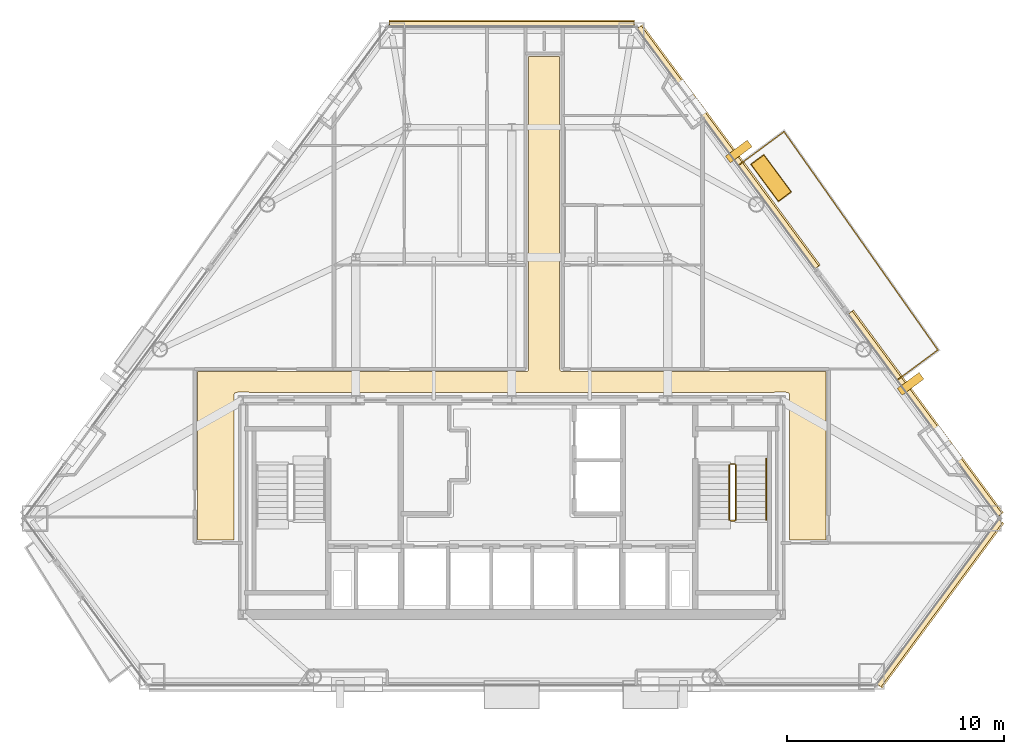
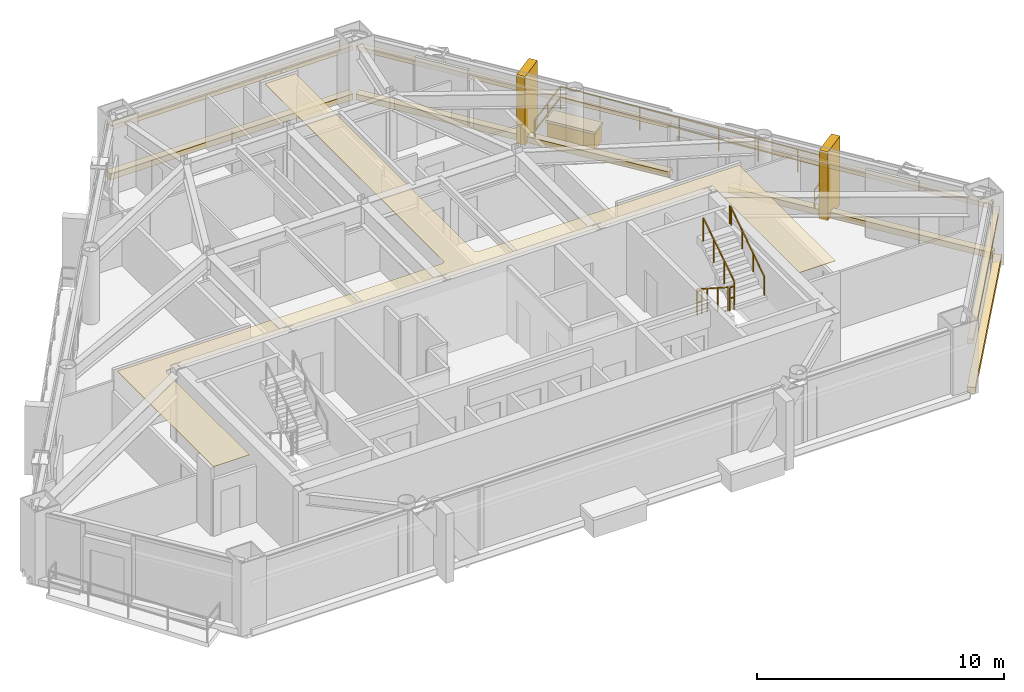
# One storey, part 11 of 11: 13 coverings, 6 railings.
"""IFC4 building model written with IfcOpenShell, lengths in metres."""

import ifcopenshell
import ifcopenshell.guid

model = None  # the IFC model being written
_history = None  # IfcOwnerHistory: only IFC2X3 demands one
_inside = {}  # id of a spatial element -> (the spatial element, [elements in it])
_under = {}  # id of a project, library or spatial element -> (it, [spatial elements below it])
_declared = {}  # id of a project -> (the project, [libraries it declares])
_typed = {}  # id of a type object -> (the type object, [elements of that type])
_made_of = {}  # id of a material, layer set ... -> (it, [elements and type objects made of it])


def new_model(schema):
    """Start an empty IFC model of exactly this schema.

    Asked for "IFC4X3", IfcOpenShell would pick the latest addendum, in which some entities
    have other attributes; the version numbers below select the first issue.
    IFC2X3 requires an IfcOwnerHistory on every rooted entity: one is made here for all.
    """
    global model, _history
    if schema == "IFC4X3":
        model = ifcopenshell.file(schema_version=(4, 3, 0, 0))
    else:
        model = ifcopenshell.file(schema=schema)
    _inside.clear()
    _under.clear()
    _declared.clear()
    _typed.clear()
    _made_of.clear()
    _history = None
    if model.schema == "IFC2X3":
        org = make("IfcOrganization", Name="unknown")
        user = make(
            "IfcPersonAndOrganization",
            ThePerson=make("IfcPerson", FamilyName="unknown"),
            TheOrganization=org,
        )
        app = make(
            "IfcApplication",
            ApplicationDeveloper=org,
            Version="unknown",
            ApplicationFullName="unknown",
            ApplicationIdentifier="unknown",
        )
        _history = make(
            "IfcOwnerHistory",
            OwningUser=user,
            OwningApplication=app,
            ChangeAction="ADDED",
            CreationDate=0,
        )
    return model


def make(cls, **values):
    """One entity of the class cls with the attributes given. An attribute that is None is left unset."""
    return model.create_entity(
        cls, **{name: value for name, value in values.items() if value is not None}
    )


def rooted(cls, **values):
    """An entity with a GlobalId (a new one), such as an element, a storey or a relation."""
    return make(cls, GlobalId=ifcopenshell.guid.new(), OwnerHistory=_history, **values)


def si_unit(unit_type, name, prefix=None):
    """IfcSIUnit, for example si_unit("LENGTHUNIT", "METRE", prefix="MILLI")."""
    return make("IfcSIUnit", UnitType=unit_type, Prefix=prefix, Name=name)


def assignment(units):
    """IfcUnitAssignment: the units of a project."""
    return None if units is None else make("IfcUnitAssignment", Units=units)


def point(xyz):
    """IfcCartesianPoint."""
    return None if xyz is None else make("IfcCartesianPoint", Coordinates=xyz)


def direction(xyz):
    """IfcDirection."""
    return None if xyz is None else make("IfcDirection", DirectionRatios=xyz)


def frame(location, z_axis=None, x_axis=None):
    """IfcAxis2Placement3D, a coordinate frame: its origin and axes. An axis left out is left unset."""
    return make(
        "IfcAxis2Placement3D",
        Location=point(location),
        Axis=direction(z_axis),
        RefDirection=direction(x_axis),
    )


def frame_2d(location, x_axis=None):
    """IfcAxis2Placement2D, a coordinate frame in the plane: its origin and x axis."""
    return make(
        "IfcAxis2Placement2D", Location=point(location), RefDirection=direction(x_axis)
    )


def origin():
    """The frame at (0, 0, 0) with its axes left unset."""
    return frame((0.0, 0.0, 0.0))


def origin_2d():
    """The frame at (0, 0) in the plane with its x axis left unset."""
    return frame_2d((0.0, 0.0))


def place(relative_to, where):
    """IfcLocalPlacement: puts the frame where relative to a parent placement (None: the world)."""
    return make(
        "IfcLocalPlacement", PlacementRelTo=relative_to, RelativePlacement=where
    )


def context(
    kind, dimensions, precision=None, world=None, true_north=None, identifier=None
):
    """IfcGeometricRepresentationContext, for example the 3D "Model" context."""
    return make(
        "IfcGeometricRepresentationContext",
        ContextIdentifier=identifier,
        ContextType=kind,
        CoordinateSpaceDimension=dimensions,
        Precision=precision,
        WorldCoordinateSystem=world,
        TrueNorth=true_north,
    )


def subcontext(parent, identifier, kind, view, scale=None):
    """IfcGeometricRepresentationSubContext, for example "Body" below "Model"."""
    return make(
        "IfcGeometricRepresentationSubContext",
        ContextIdentifier=identifier,
        ContextType=kind,
        ParentContext=parent,
        TargetScale=scale,
        TargetView=view,
    )


def project(units=None, contexts=None):
    """IfcProject with its units and contexts."""
    return rooted(
        "IfcProject",
        Name="project",
        RepresentationContexts=contexts,
        UnitsInContext=assignment(units),
    )


def spatial(cls, under=None, at=None, **own):
    """A site, building, storey or space (cls), placed at a placement, below another one or the project."""
    s = rooted(cls, ObjectPlacement=at, **own)
    if under is not None:
        _under.setdefault(under.id(), (under, []))[1].append(s)
    return s


def polyline(points):
    """IfcPolyline through the points."""
    return make("IfcPolyline", Points=[point(p) for p in points])


def profile(cls, at=None, kind="AREA", **sizes):
    """A parametric profile (cls). Its sizes go by their IFC names, for example OverallWidth=200.0."""
    return make(cls, ProfileType=kind, Position=at, **sizes)


def rectangle(**sizes):
    """IfcRectangleProfileDef."""
    return profile("IfcRectangleProfileDef", **sizes)


def outline(outer, holes=None, kind="AREA"):
    """IfcArbitraryClosedProfileDef: a profile drawn as a closed curve; with holes, ...WithVoids."""
    if holes is None:
        return make("IfcArbitraryClosedProfileDef", ProfileType=kind, OuterCurve=outer)
    return make(
        "IfcArbitraryProfileDefWithVoids",
        ProfileType=kind,
        OuterCurve=outer,
        InnerCurves=holes,
    )


def extrude(swept, where, along, depth):
    """IfcExtrudedAreaSolid: the profile swept, set in the frame where, extruded along a direction by depth."""
    return make(
        "IfcExtrudedAreaSolid",
        SweptArea=swept,
        Position=where,
        ExtrudedDirection=direction(along),
        Depth=depth,
    )


def shape(context_of_items, identifier, shape_type, items):
    """IfcShapeRepresentation: the items that make up one representation, for example the "Body"."""
    return make(
        "IfcShapeRepresentation",
        ContextOfItems=context_of_items,
        RepresentationIdentifier=identifier,
        RepresentationType=shape_type,
        Items=items,
    )


def material(Name=None, Category=None):
    """IfcMaterial."""
    return make("IfcMaterial", Name=Name, Category=Category)


def layer(
    of_material, thickness, ventilated=None, Name=None, Category=None, Priority=None
):
    """IfcMaterialLayer: one layer of a wall or slab, of a material (None: an air gap)."""
    return make(
        "IfcMaterialLayer",
        Material=of_material,
        LayerThickness=thickness,
        IsVentilated=ventilated,
        Name=Name,
        Category=Category,
        Priority=Priority,
    )


def layer_set(layers, Name=None):
    """IfcMaterialLayerSet."""
    return make("IfcMaterialLayerSet", MaterialLayers=layers, LayerSetName=Name)


def made_of(thing, what):
    """Note that an element or type object is made of a material, layer set ...; save() writes the relation."""
    if what is not None:
        _made_of.setdefault(what.id(), (what, []))[1].append(thing)
    return thing


def type_object(cls, material=None, **own):
    """A type object (cls), such as IfcWallType, which elements share."""
    return made_of(rooted(cls, **own), material)


def element(
    cls,
    number,
    at=None,
    inside=None,
    cuts=None,
    type_object=None,
    material=None,
    context=None,
    identifier="Body",
    shape_type=None,
    held_by="IfcProductDefinitionShape",
    body=None,
    shapes=None,
    **own,
):
    """One element of the class cls, such as IfcWall. Its Tag is "e" and its number.

    at: its placement. inside: the storey or other place that contains it. cuts: it is an
    opening in that element (IfcRelVoidsElement). A single representation is given by context,
    identifier, shape_type and body (its items); several are given by shapes. held_by: the class
    of the entity that holds the representations. save() writes the other relations.
    """
    e = rooted(cls, Tag="e%d" % number, ObjectPlacement=at, **own)
    if body is not None:
        shapes = [shape(context, identifier, shape_type, body)]
    if shapes is not None:
        e.Representation = make(held_by, Representations=shapes)
    if inside is not None:
        _inside.setdefault(inside.id(), (inside, []))[1].append(e)
    if cuts is not None:
        rooted(
            "IfcRelVoidsElement", RelatingBuildingElement=cuts, RelatedOpeningElement=e
        )
    if type_object is not None:
        _typed.setdefault(type_object.id(), (type_object, []))[1].append(e)
    return made_of(e, material)


def aggregate(whole, parts):
    """IfcRelAggregates: a whole, such as a stair, and the parts it consists of."""
    return rooted("IfcRelAggregates", RelatingObject=whole, RelatedObjects=parts)


def save(model, path):
    """Write the relations noted so far, then the file.

    IfcRelAggregates (storeys below a building ...), IfcRelContainedInSpatialStructure (elements
    in a storey), IfcRelDefinesByType, IfcRelAssociatesMaterial and IfcRelDeclares: one each for
    every whole, place, type object, material and project.
    """
    for whole, parts in _under.values():
        aggregate(whole, parts)
    for where, things in _inside.values():
        rooted(
            "IfcRelContainedInSpatialStructure",
            RelatedElements=things,
            RelatingStructure=where,
        )
    for kind, things in _typed.values():
        rooted("IfcRelDefinesByType", RelatedObjects=things, RelatingType=kind)
    for what, things in _made_of.values():
        rooted("IfcRelAssociatesMaterial", RelatedObjects=things, RelatingMaterial=what)
    for by, libraries in _declared.values():
        rooted("IfcRelDeclares", RelatingContext=by, RelatedDefinitions=libraries)
    model.write(path)


model = new_model("IFC4")

# Units and contexts
model_context = context("Model", 3, precision=1e-05, world=origin(), true_north=direction((0.0, 1.0)))
body_context = subcontext(model_context, "Body", "Model", "MODEL_VIEW")
ifc_project = project(units=[si_unit("LENGTHUNIT", "METRE"), si_unit("AREAUNIT", "SQUARE_METRE"), si_unit("VOLUMEUNIT", "CUBIC_METRE"), si_unit("PLANEANGLEUNIT", "RADIAN"), si_unit("MASSUNIT", "GRAM", prefix="KILO")], contexts=[model_context])

# Site, building, storey
site_placement = place(None, origin())
site = spatial("IfcSite", under=ifc_project, at=site_placement, CompositionType="ELEMENT")
building_placement = place(site_placement, origin())
building = spatial("IfcBuilding", under=site, at=building_placement, Name="Talgorran Terracotta Tower", CompositionType="ELEMENT")
storey_placement = place(building_placement, frame((0.0, 0.0, 122.10009765625)))
storey = spatial("IfcBuildingStorey", under=building, at=storey_placement, Name="L31", CompositionType="ELEMENT", Elevation=122.10009765625)

# Coverings
ifc_material_1 = material(Name="Kiln-Fired Terracotta Ochre Ceramic", Category="masonry")
ifc_layer_1 = layer(ifc_material_1, 0.179931640625, Name="COV_BAGUETTE_TERRACOTTA_SCREEN")
ifc_layer_set_1 = layer_set([ifc_layer_1], Name="Kiln-Fired Terracotta Ochre Ceramic")
covering_type_1 = type_object("IfcCoveringType", Name="COV_BAGUETTE_TERRACOTTA_SCREEN", PredefinedType="CLADDING", material=ifc_layer_set_1)
covering_1_placement = place(storey_placement, frame((19.748291015625, -13.572021484375, 2.41015625), z_axis=(0.0, 0.0, 1.0), x_axis=(0.594640382106, 0.803991800934, 0.0)))
element("IfcCovering", 1, at=covering_1_placement, inside=storey, type_object=covering_type_1, Name="L31 Terracotta Baguette Solar Screen Assembly F2", PredefinedType="CLADDING", context=body_context, shape_type="SweptSolid", body=[
    extrude(rectangle(XDim=9.43896484375, YDim=0.260009765625, at=origin_2d()), origin(), (0.0, 0.0, 1.0), 0.219970703125),
])
covering_2_placement = place(storey_placement, frame((19.075927734375, -4.842529296875, 2.41015625), z_axis=(0.0, 0.0, 1.0), x_axis=(-0.594640382106, 0.803991800934, 0.0)))
element("IfcCovering", 2, at=covering_2_placement, inside=storey, type_object=covering_type_1, Name="L31 Terracotta Baguette Solar Screen Assembly F40", PredefinedType="CLADDING", context=body_context, shape_type="SweptSolid", body=[
    extrude(rectangle(XDim=11.62060546875, YDim=0.260009765625, at=origin_2d()), origin(), (0.0, 0.0, 1.0), 0.219970703125),
])
covering_3_placement = place(storey_placement, frame((9.972412109375, 7.466064453125, 2.41015625), z_axis=(0.0, 0.0, 1.0), x_axis=(-0.594640382106, 0.803991800934, 0.0)))
element("IfcCovering", 3, at=covering_3_placement, inside=storey, type_object=covering_type_1, Name="L31 Terracotta Baguette Solar Screen Assembly F41", PredefinedType="CLADDING", context=body_context, shape_type="SweptSolid", body=[
    extrude(rectangle(XDim=13.798095703125, YDim=0.260009765625, at=origin_2d()), origin(), (0.0, 0.0, 1.0), 0.219970703125),
])
covering_4_placement = place(storey_placement, frame((0.0, 13.141845703125, 2.41015625), z_axis=(0.0, 0.0, 1.0), x_axis=(-1.0, 0.0, 0.0)))
element("IfcCovering", 4, at=covering_4_placement, inside=storey, type_object=covering_type_1, Name="L31 Terracotta Baguette Solar Screen Assembly F4", PredefinedType="CLADDING", context=body_context, shape_type="SweptSolid", body=[
    extrude(rectangle(XDim=11.308349609375, YDim=0.260009765625, at=origin_2d()), origin(), (0.0, 0.0, 1.0), 0.219970703125),
])
ifc_material_2 = material(Name="Mineral Fibre Acoustic Tile")
ifc_layer_2 = layer(ifc_material_2, 0.02490234375, Name="COV_CEIL_ACOUSTIC")
ifc_layer_set_2 = layer_set([ifc_layer_2], Name="Mineral Fibre Acoustic Tile")
covering_type_2 = type_object("IfcCoveringType", Name="COV_CEIL_ACOUSTIC", PredefinedType="CEILING", material=ifc_layer_set_2)
covering_5_placement = place(storey_placement, frame((0.0, 0.0, 3.260009765625)))
element("IfcCovering", 5, at=covering_5_placement, inside=storey, type_object=covering_type_2, Name="CEIL-L31-2", PredefinedType="CEILING", context=body_context, shape_type="SweptSolid", body=[
    extrude(outline(polyline([(-12.68798828125, -3.844970703125), (-12.699951171875, -3.844970703125), (-12.711669921875, -3.845703125), (-12.723388671875, -3.847412109375), (-12.734619140625, -3.85009765625), (-12.742919921875, -3.8525390625), (-12.75390625, -3.8564453125), (-12.7646484375, -3.861572265625), (-12.77490234375, -3.86767578125), (-12.7841796875, -3.87451171875), (-12.79296875, -3.882568359375), (-12.80078125, -3.89111328125), (-12.806396484375, -3.89794921875), (-12.813720703125, -3.907470703125), (-12.819580078125, -3.91748046875), (-12.82470703125, -3.92822265625), (-12.82861328125, -3.939453125), (-12.83154296875, -3.95068359375), (-12.833251953125, -3.96240234375), (-12.833984375, -3.974365234375), (-12.8349609375, -10.6650390625), (-14.514892578125, -10.6650390625), (-14.514892578125, -2.885009765625), (0.64990234375, -2.885009765625), (0.66162109375, -2.884521484375), (0.67333984375, -2.8828125), (0.6845703125, -2.8798828125), (0.69287109375, -2.87744140625), (0.7041015625, -2.87353515625), (0.714599609375, -2.868408203125), (0.724853515625, -2.8623046875), (0.734375, -2.85546875), (0.742919921875, -2.847412109375), (0.7509765625, -2.8388671875), (0.756591796875, -2.83203125), (0.763671875, -2.822509765625), (0.769775390625, -2.8125), (0.774658203125, -2.8017578125), (0.77880859375, -2.79052734375), (0.781494140625, -2.779296875), (0.783203125, -2.767578125), (0.783935546875, -2.755615234375), (0.784912109375, 11.6650390625), (2.215087890625, 11.6650390625), (2.215087890625, -2.75), (2.215576171875, -2.76171875), (2.21728515625, -2.773193359375), (2.22021484375, -2.78466796875), (2.22265625, -2.79296875), (2.2265625, -2.803955078125), (2.231689453125, -2.814697265625), (2.237548828125, -2.82470703125), (2.24462890625, -2.834228515625), (2.25244140625, -2.843017578125), (2.26123046875, -2.850830078125), (2.26806640625, -2.8564453125), (2.277587890625, -2.863525390625), (2.28759765625, -2.86962890625), (2.29833984375, -2.874755859375), (2.309326171875, -2.878662109375), (2.32080078125, -2.881591796875), (2.33251953125, -2.88330078125), (2.34423828125, -2.8837890625), (14.514892578125, -2.885009765625), (14.514892578125, -10.6650390625), (12.8349609375, -10.6650390625), (12.834716796875, -3.97705078125), (12.833984375, -3.96533203125), (12.83251953125, -3.953857421875), (12.82958984375, -3.9423828125), (12.82568359375, -3.931396484375), (12.820556640625, -3.920654296875), (12.81640625, -3.9130859375), (12.810302734375, -3.90283203125), (12.803466796875, -3.893310546875), (12.79541015625, -3.884521484375), (12.78662109375, -3.876708984375), (12.777099609375, -3.86962890625), (12.76708984375, -3.863525390625), (12.75927734375, -3.859375), (12.748779296875, -3.8544921875), (12.73779296875, -3.8505859375), (12.7265625, -3.84765625), (12.715087890625, -3.845947265625), (12.703369140625, -3.84521484375), (12.6884765625, -3.84521484375), (12.6865234375, -3.84423828125), (12.67578125, -3.839111328125), (12.664794921875, -3.835205078125), (12.6533203125, -3.832275390625), (12.641845703125, -3.83056640625), (12.6298828125, -3.830078125), (12.169921875, -3.830078125), (12.158203125, -3.83056640625), (12.146484375, -3.832275390625), (12.13525390625, -3.835205078125), (12.1240234375, -3.839111328125), (12.11328125, -3.84423828125), (12.112060546875, -3.844970703125), (7.432861328125, -3.844970703125), (6.968017578125, -3.843017578125), (6.967529296875, -3.843017578125), (0.232666015625, -3.844970703125), (-0.23193359375, -3.843017578125), (-0.232421875, -3.843017578125), (-6.96728515625, -3.844970703125), (-7.431884765625, -3.843017578125), (-7.4326171875, -3.843017578125), (-12.112060546875, -3.844970703125), (-12.11328125, -3.84423828125), (-12.1240234375, -3.839111328125), (-12.13525390625, -3.835205078125), (-12.146484375, -3.832275390625), (-12.158203125, -3.83056640625), (-12.169921875, -3.830078125), (-12.6298828125, -3.830078125), (-12.641845703125, -3.83056640625), (-12.6533203125, -3.832275390625), (-12.664794921875, -3.835205078125), (-12.67578125, -3.839111328125), (-12.6865234375, -3.84423828125), (-12.68798828125, -3.844970703125)])), origin(), (0.0, 0.0, 1.0), 0.019775390625),
])
ifc_material_3 = material(Name="Honed Limestone and Terracotta Planter", Category="masonry")
ifc_layer_3 = layer(ifc_material_3, 0.1201171875, Name="COV_PLANTER_BOX")
ifc_layer_set_3 = layer_set([ifc_layer_3], Name="Honed Limestone and Terracotta Planter")
covering_type_3 = type_object("IfcCoveringType", Name="COV_PLANTER_BOX", PredefinedType="CLADDING", material=ifc_layer_set_3)
covering_6_placement = place(storey_placement, frame((11.9765625, 6.051513671875, -0.02001953125), z_axis=(0.0, 0.0, 1.0), x_axis=(-0.594640382106, 0.803991800934, 0.0)))
element("IfcCovering", 6, at=covering_6_placement, inside=storey, type_object=covering_type_3, Name="L31 Staggered Balcony Planter Box BAL-NE", PredefinedType="CLADDING", context=body_context, shape_type="SweptSolid", body=[
    extrude(rectangle(XDim=2.10009765625, YDim=0.719970703125, at=origin_2d()), origin(), (0.0, 0.0, 1.0), 0.860107421875),
])
ifc_material_4 = material(Name="Kiln-Fired Terracotta Planter Rim", Category="masonry")
ifc_layer_4 = layer(ifc_material_4, 0.10009765625, Name="COV_PLANTER_RIM")
ifc_layer_set_4 = layer_set([ifc_layer_4], Name="Kiln-Fired Terracotta Planter Rim")
covering_type_4 = type_object("IfcCoveringType", Name="COV_PLANTER_RIM", PredefinedType="CLADDING", material=ifc_layer_set_4)
covering_7_placement = place(storey_placement, frame((11.9765625, 6.051513671875, 0.7998046875), z_axis=(0.0, 0.0, 1.0), x_axis=(-0.594640382106, 0.803991800934, 0.0)))
element("IfcCovering", 7, at=covering_7_placement, inside=storey, type_object=covering_type_4, Name="L31 Balcony Planter Terracotta Rim BAL-NE", PredefinedType="CLADDING", context=body_context, shape_type="SweptSolid", body=[
    extrude(rectangle(XDim=2.179931640625, YDim=0.780029296875, at=origin_2d()), origin(), (0.0, 0.0, 1.0), 0.1201171875),
])
ifc_material_5 = material(Name="Honed Limestone Cladding", Category="masonry")
ifc_layer_5 = layer(ifc_material_5, 0.094970703125, Name="COV_PORTAL_LIME")
ifc_layer_set_5 = layer_set([ifc_layer_5], Name="Honed Limestone Cladding")
covering_type_5 = type_object("IfcCoveringType", Name="COV_PORTAL_LIME", PredefinedType="CLADDING", material=ifc_layer_set_5)
covering_8_placement = place(storey_placement, frame((18.4169921875, -3.447021484375, -0.050048828125), z_axis=(0.0, 0.0, 1.0), x_axis=(-0.594640382106, 0.803991800934, 0.0)))
element("IfcCovering", 8, at=covering_8_placement, inside=storey, type_object=covering_type_5, Name="L31 White Striped Portal Fin F3-1", PredefinedType="CLADDING", context=body_context, shape_type="SweptSolid", body=[
    extrude(rectangle(XDim=0.3798828125, YDim=1.25, at=origin_2d()), origin(), (0.0, 0.0, 1.0), 3.39990234375),
])
ifc_material_6 = material(Name="Kiln-Fired Terracotta Cladding", Category="masonry")
ifc_layer_6 = layer(ifc_material_6, 0.090087890625, Name="COV_PORTAL_TERRA")
ifc_layer_set_6 = layer_set([ifc_layer_6], Name="Kiln-Fired Terracotta Cladding")
covering_type_6 = type_object("IfcCoveringType", Name="COV_PORTAL_TERRA", PredefinedType="CLADDING", material=ifc_layer_set_6)
covering_9_placement = place(storey_placement, frame((19.780517578125, -13.595703125, -0.0400390625), z_axis=(0.0, 0.0, 1.0), x_axis=(0.594640382106, 0.803991800934, 0.0)))
element("IfcCovering", 9, at=covering_9_placement, inside=storey, type_object=covering_type_6, Name="L31 Striped Postmodern Portal Cladding Band F2", PredefinedType="CLADDING", context=body_context, shape_type="SweptSolid", body=[
    extrude(rectangle(XDim=9.458984375, YDim=0.340087890625, at=origin_2d()), origin(), (0.0, 0.0, 1.0), 0.300048828125),
])
covering_10_placement = place(storey_placement, frame((19.108154296875, -4.81884765625, -0.0400390625), z_axis=(0.0, 0.0, 1.0), x_axis=(-0.594640382106, 0.803991800934, 0.0)))
element("IfcCovering", 10, at=covering_10_placement, inside=storey, type_object=covering_type_6, Name="L31 Striped Postmodern Portal Cladding Band F40", PredefinedType="CLADDING", context=body_context, shape_type="SweptSolid", body=[
    extrude(rectangle(XDim=11.640625, YDim=0.340087890625, at=origin_2d()), origin(), (0.0, 0.0, 1.0), 0.300048828125),
])
covering_11_placement = place(storey_placement, frame((10.004638671875, 7.48974609375, -0.0400390625), z_axis=(0.0, 0.0, 1.0), x_axis=(-0.594640382106, 0.803991800934, 0.0)))
element("IfcCovering", 11, at=covering_11_placement, inside=storey, type_object=covering_type_6, Name="L31 Striped Postmodern Portal Cladding Band F41", PredefinedType="CLADDING", context=body_context, shape_type="SweptSolid", body=[
    extrude(rectangle(XDim=13.818115234375, YDim=0.340087890625, at=origin_2d()), origin(), (0.0, 0.0, 1.0), 0.300048828125),
])
covering_12_placement = place(storey_placement, frame((0.0, 13.181884765625, -0.0400390625), z_axis=(0.0, 0.0, 1.0), x_axis=(-1.0, 0.0, 0.0)))
element("IfcCovering", 12, at=covering_12_placement, inside=storey, type_object=covering_type_6, Name="L31 Striped Postmodern Portal Cladding Band F4", PredefinedType="CLADDING", context=body_context, shape_type="SweptSolid", body=[
    extrude(rectangle(XDim=11.328369140625, YDim=0.340087890625, at=origin_2d()), origin(), (0.0, 0.0, 1.0), 0.300048828125),
])
covering_13_placement = place(storey_placement, frame((10.483154296875, 7.280029296875, -0.050048828125), z_axis=(0.0, 0.0, 1.0), x_axis=(-0.594640382106, 0.803991800934, 0.0)))
element("IfcCovering", 13, at=covering_13_placement, inside=storey, type_object=covering_type_6, Name="L31 Terracotta Striped Portal Fin F3-2", PredefinedType="CLADDING", context=body_context, shape_type="SweptSolid", body=[
    extrude(rectangle(XDim=0.3798828125, YDim=1.25, at=origin_2d()), origin(), (0.0, 0.0, 1.0), 3.39990234375),
])

# Railings
ifc_material_7 = material(Name="Laminated Glass and Stainless Steel 316", Category="steel")
railing_type_1 = type_object("IfcRailingType", Name="RL_BALCONY_1150", PredefinedType="BALUSTRADE", material=ifc_material_7)
railing_1_placement = place(storey_placement, frame((17.810791015625, -3.266357421875, 0.0)))
element("IfcRailing", 14, at=railing_1_placement, inside=storey, type_object=railing_type_1, Name="RL-L31-BAL-BAL-NE", PredefinedType="BALUSTRADE", context=body_context, shape_type="SweptSolid", body=[
    extrude(rectangle(XDim=0.048095703125, YDim=0.048095703125, at=origin_2d()), frame((0.0, 0.0, 1.1259765625), z_axis=(0.804018806886, 0.594603866599, 0.0), x_axis=(-0.594603866599, 0.804018806886, 0.0)), (0.0, 0.0, 1.0), 2.322265625),
    extrude(rectangle(XDim=0.048095703125, YDim=0.048095703125, at=origin_2d()), frame((0.0, 0.0, 0.597900390625), z_axis=(0.804018806886, 0.594603866599, 0.0), x_axis=(-0.594603866599, 0.804018806886, 0.0)), (0.0, 0.0, 1.0), 2.322265625),
    extrude(rectangle(XDim=0.048095703125, YDim=0.048095703125, at=origin_2d()), frame((1.8671875, 1.380859375, 1.1259765625), z_axis=(-0.576047326756, 0.817416342715, 0.0), x_axis=(-0.817416342715, -0.576047326756, 0.0)), (0.0, 0.0, 1.0), 12.333984375),
    extrude(rectangle(XDim=0.048095703125, YDim=0.048095703125, at=origin_2d()), frame((1.8671875, 1.380859375, 0.597900390625), z_axis=(-0.576047326756, 0.817416342715, 0.0), x_axis=(-0.817416342715, -0.576047326756, 0.0)), (0.0, 0.0, 1.0), 12.333984375),
    extrude(rectangle(XDim=0.048095703125, YDim=0.048095703125, at=origin_2d()), frame((-5.23779296875, 11.462890625, 1.1259765625), z_axis=(-0.803996920127, -0.594633460567, 0.0), x_axis=(0.594633460567, -0.803996920127, 0.0)), (0.0, 0.0, 1.0), 2.60498046875),
    extrude(rectangle(XDim=0.048095703125, YDim=0.048095703125, at=origin_2d()), frame((-5.23779296875, 11.462890625, 0.597900390625), z_axis=(-0.803996920127, -0.594633460567, 0.0), x_axis=(0.594633460567, -0.803996920127, 0.0)), (0.0, 0.0, 1.0), 2.60498046875),
    extrude(rectangle(XDim=0.0419921875, YDim=0.0419921875, at=origin_2d()), origin(), (0.0, 0.0, 1.0), 1.101806640625),
    extrude(rectangle(XDim=0.0419921875, YDim=0.0419921875, at=origin_2d()), frame((0.93359375, 0.6904296875, 0.0)), (0.0, 0.0, 1.0), 1.101806640625),
    extrude(rectangle(XDim=0.0419921875, YDim=0.0419921875, at=origin_2d()), frame((1.8671875, 1.380859375, 0.0)), (0.0, 0.0, 1.0), 1.101806640625),
    extrude(rectangle(XDim=0.0419921875, YDim=0.0419921875, at=origin_2d()), frame((0.852294921875, 2.821044921875, 0.0)), (0.0, 0.0, 1.0), 1.101806640625),
    extrude(rectangle(XDim=0.0419921875, YDim=0.0419921875, at=origin_2d()), frame((-0.162841796875, 4.261474609375, 0.0)), (0.0, 0.0, 1.0), 1.101806640625),
    extrude(rectangle(XDim=0.0419921875, YDim=0.0419921875, at=origin_2d()), frame((-1.177734375, 5.70166015625, 0.0)), (0.0, 0.0, 1.0), 1.101806640625),
    extrude(rectangle(XDim=0.0419921875, YDim=0.0419921875, at=origin_2d()), frame((-2.19287109375, 7.14208984375, 0.0)), (0.0, 0.0, 1.0), 1.101806640625),
    extrude(rectangle(XDim=0.0419921875, YDim=0.0419921875, at=origin_2d()), frame((-3.207763671875, 8.582275390625, 0.0)), (0.0, 0.0, 1.0), 1.101806640625),
    extrude(rectangle(XDim=0.0419921875, YDim=0.0419921875, at=origin_2d()), frame((-4.222900390625, 10.022705078125, 0.0)), (0.0, 0.0, 1.0), 1.101806640625),
    extrude(rectangle(XDim=0.0419921875, YDim=0.0419921875, at=origin_2d()), frame((-5.23779296875, 11.462890625, 0.0)), (0.0, 0.0, 1.0), 1.101806640625),
    extrude(rectangle(XDim=0.0419921875, YDim=0.0419921875, at=origin_2d()), frame((-6.28515625, 10.6884765625, 0.0)), (0.0, 0.0, 1.0), 1.101806640625),
    extrude(rectangle(XDim=0.0419921875, YDim=0.0419921875, at=origin_2d()), frame((-7.332275390625, 9.913818359375, 0.0)), (0.0, 0.0, 1.0), 1.101806640625),
])
ifc_material_8 = material(Name="Steel S355 (300PLUS)", Category="steel")
railing_type_2 = type_object("IfcRailingType", Name="RL_HANDRAIL_920", PredefinedType="HANDRAIL", material=ifc_material_8)
railing_2_placement = place(storey_placement, frame((11.75, -9.719970703125, 1.97998046875)))
element("IfcRailing", 15, at=railing_2_placement, inside=storey, type_object=railing_type_2, Name="L31 ST-02 stair handrail 2", PredefinedType="HANDRAIL", context=body_context, shape_type="SweptSolid", body=[
    extrude(rectangle(XDim=0.048095703125, YDim=0.048095703125, at=origin_2d()), frame((0.0, 0.0, 0.89599609375), z_axis=(0.0, 0.832073444223, 0.554665469827), x_axis=(-1.0, 0.0, 0.0)), (0.0, 0.0, 1.0), 3.244873046875),
    extrude(rectangle(XDim=0.048095703125, YDim=0.048095703125, at=origin_2d()), frame((0.0, 2.699951171875, 2.69580078125), z_axis=(0.0, 1.0, 0.0), x_axis=(-1.0, 0.0, 0.0)), (0.0, 0.0, 1.0), 0.1201171875),
    extrude(rectangle(XDim=0.0419921875, YDim=0.0419921875, at=origin_2d()), origin(), (0.0, 0.0, 1.0), 0.871826171875),
    extrude(rectangle(XDim=0.0419921875, YDim=0.0419921875, at=origin_2d()), frame((0.0, 0.89990234375, 0.599853515625)), (0.0, 0.0, 1.0), 0.871826171875),
    extrude(rectangle(XDim=0.0419921875, YDim=0.0419921875, at=origin_2d()), frame((0.0, 1.800048828125, 1.199951171875)), (0.0, 0.0, 1.0), 0.871826171875),
    extrude(rectangle(XDim=0.0419921875, YDim=0.0419921875, at=origin_2d()), frame((0.0, 2.699951171875, 1.7998046875)), (0.0, 0.0, 1.0), 0.871826171875),
    extrude(rectangle(XDim=0.0419921875, YDim=0.0419921875, at=origin_2d()), frame((0.0, 2.820068359375, 1.7998046875)), (0.0, 0.0, 1.0), 0.871826171875),
])
railing_type_3 = type_object("IfcRailingType", Name="RL_STAIR_GUARD", PredefinedType="GUARDRAIL", material=ifc_material_8)
railing_3_placement = place(storey_placement, frame((10.050048828125, -7.199951171875, 0.179931640625)))
element("IfcRailing", 16, at=railing_3_placement, inside=storey, type_object=railing_type_3, Name="L31 ST-02 stair guard 1", PredefinedType="GUARDRAIL", context=body_context, shape_type="SweptSolid", body=[
    extrude(rectangle(XDim=0.048095703125, YDim=0.048095703125, at=origin_2d()), frame((0.0, 0.0, 1.15576171875), z_axis=(0.0, -0.841199657755, 0.540724639528), x_axis=(1.0, 0.0, 0.0)), (0.0, 0.0, 1.0), 2.995849609375),
    extrude(rectangle(XDim=0.0419921875, YDim=0.0419921875, at=origin_2d()), origin(), (0.0, 0.0, 1.0), 1.1318359375),
    extrude(rectangle(XDim=0.0419921875, YDim=0.0419921875, at=origin_2d()), frame((0.0, -0.840087890625, 0.5400390625)), (0.0, 0.0, 1.0), 1.1318359375),
    extrude(rectangle(XDim=0.0419921875, YDim=0.0419921875, at=origin_2d()), frame((0.0, -1.679931640625, 1.079833984375)), (0.0, 0.0, 1.0), 1.1318359375),
    extrude(rectangle(XDim=0.0419921875, YDim=0.0419921875, at=origin_2d()), frame((0.0, -2.52001953125, 1.619873046875)), (0.0, 0.0, 1.0), 1.1318359375),
])
railing_4_placement = place(storey_placement, frame((10.10009765625, -9.77001953125, 1.7998046875)))
element("IfcRailing", 17, at=railing_4_placement, inside=storey, type_object=railing_type_3, Name="L31 ST-02 stair guard 2", PredefinedType="GUARDRAIL", context=body_context, shape_type="SweptSolid", body=[
    extrude(rectangle(XDim=0.048095703125, YDim=0.048095703125, at=origin_2d()), frame((0.0, 0.0, 1.15576171875), z_axis=(1.0, 0.0, 0.0), x_axis=(0.0, 1.0, 0.0)), (0.0, 0.0, 1.0), 0.199951171875),
    extrude(rectangle(XDim=0.048095703125, YDim=0.048095703125, at=origin_2d()), frame((0.0, 0.0, 0.613525390625), z_axis=(1.0, 0.0, 0.0), x_axis=(0.0, 1.0, 0.0)), (0.0, 0.0, 1.0), 0.199951171875),
    extrude(rectangle(XDim=0.0419921875, YDim=0.0419921875, at=origin_2d()), origin(), (0.0, 0.0, 1.0), 1.1318359375),
    extrude(rectangle(XDim=0.0419921875, YDim=0.0419921875, at=origin_2d()), frame((0.199951171875, 0.0, 0.0)), (0.0, 0.0, 1.0), 1.1318359375),
])
railing_5_placement = place(storey_placement, frame((10.35009765625, -9.719970703125, 1.97998046875)))
element("IfcRailing", 18, at=railing_5_placement, inside=storey, type_object=railing_type_3, Name="L31 ST-02 stair guard 3", PredefinedType="GUARDRAIL", context=body_context, shape_type="SweptSolid", body=[
    extrude(rectangle(XDim=0.048095703125, YDim=0.048095703125, at=origin_2d()), frame((0.0, 0.0, 1.15576171875), z_axis=(0.0, 0.841199657755, 0.540724639528), x_axis=(-1.0, 0.0, 0.0)), (0.0, 0.0, 1.0), 2.995849609375),
    extrude(rectangle(XDim=0.0419921875, YDim=0.0419921875, at=origin_2d()), origin(), (0.0, 0.0, 1.0), 1.1318359375),
    extrude(rectangle(XDim=0.0419921875, YDim=0.0419921875, at=origin_2d()), frame((0.0, 0.840087890625, 0.5400390625)), (0.0, 0.0, 1.0), 1.1318359375),
    extrude(rectangle(XDim=0.0419921875, YDim=0.0419921875, at=origin_2d()), frame((0.0, 1.679931640625, 1.079833984375)), (0.0, 0.0, 1.0), 1.1318359375),
    extrude(rectangle(XDim=0.0419921875, YDim=0.0419921875, at=origin_2d()), frame((0.0, 2.52001953125, 1.619873046875)), (0.0, 0.0, 1.0), 1.1318359375),
])
railing_6_placement = place(storey_placement, frame((10.10009765625, -7.14990234375, 0.0)))
element("IfcRailing", 19, at=railing_6_placement, inside=storey, type_object=railing_type_3, Name="L31 ST-02 stair guard 4", PredefinedType="GUARDRAIL", context=body_context, shape_type="SweptSolid", body=[
    extrude(rectangle(XDim=0.048095703125, YDim=0.048095703125, at=origin_2d()), frame((0.0, 0.0, 1.15576171875), z_axis=(1.0, 0.0, 0.0), x_axis=(0.0, 1.0, 0.0)), (0.0, 0.0, 1.0), 0.199951171875),
    extrude(rectangle(XDim=0.048095703125, YDim=0.048095703125, at=origin_2d()), frame((0.0, 0.0, 0.613525390625), z_axis=(1.0, 0.0, 0.0), x_axis=(0.0, 1.0, 0.0)), (0.0, 0.0, 1.0), 0.199951171875),
    extrude(rectangle(XDim=0.0419921875, YDim=0.0419921875, at=origin_2d()), origin(), (0.0, 0.0, 1.0), 1.1318359375),
    extrude(rectangle(XDim=0.0419921875, YDim=0.0419921875, at=origin_2d()), frame((0.199951171875, 0.0, 0.0)), (0.0, 0.0, 1.0), 1.1318359375),
])

save(model, "model.ifc")
